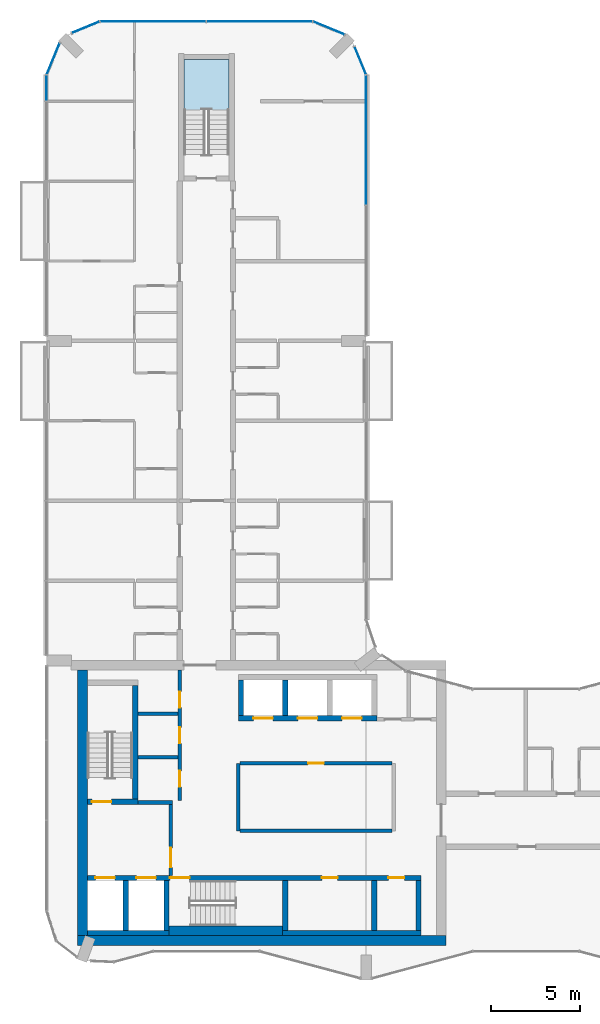
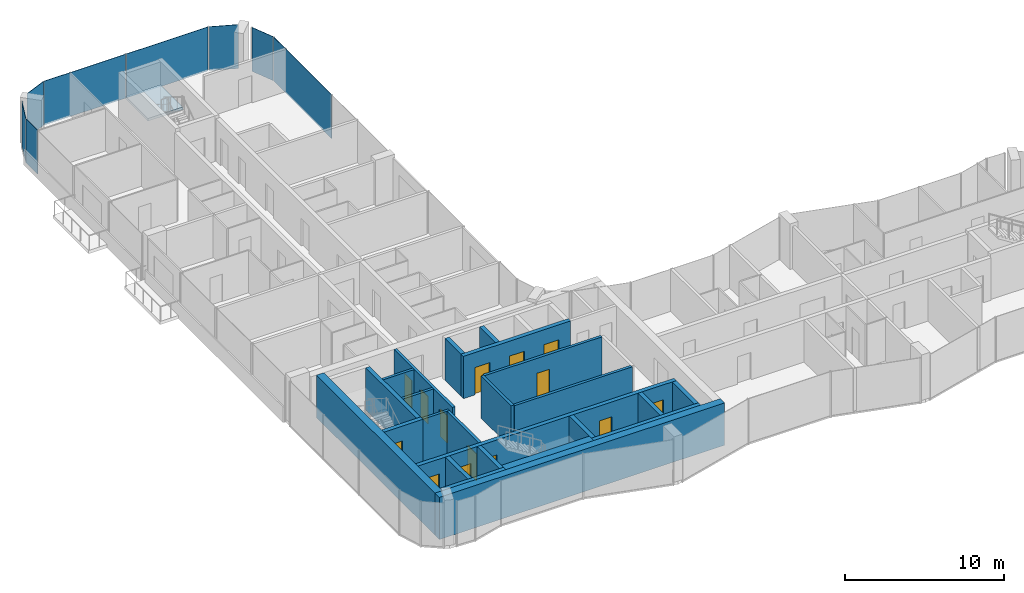
# One storey, part 9 of 15: 24 walls, 14 doors, 8 plates, 1 slab, 14 openings, 8 elements without a shape of their own.
"""IFC4 building model written with IfcOpenShell, lengths in metres."""

from ifc_helpers import new_model, si_unit, direction, frame, frame_2d, origin, origin_2d, place, context, subcontext, project, spatial, polyline, rectangle, outline, extrude, material, layer, layer_set, type_object, element, fill, aggregate, save


model = new_model("IFC4")

# Units and contexts
model_context = context("Model", 3, precision=1e-05, world=origin(), true_north=direction((0.0, 1.0)))
body_context = subcontext(model_context, "Body", "Model", "MODEL_VIEW")
ifc_project = project(units=[si_unit("LENGTHUNIT", "METRE"), si_unit("AREAUNIT", "SQUARE_METRE"), si_unit("VOLUMEUNIT", "CUBIC_METRE"), si_unit("PLANEANGLEUNIT", "RADIAN"), si_unit("MASSUNIT", "GRAM", prefix="KILO")], contexts=[model_context])

# Site, building, storey
site_placement = place(None, origin())
site = spatial("IfcSite", under=ifc_project, at=site_placement, CompositionType="ELEMENT")
building_placement = place(site_placement, origin())
building = spatial("IfcBuilding", under=site, at=building_placement, Name="Plateau Cross Towers", CompositionType="ELEMENT")
storey_placement = place(building_placement, frame((0.0, 0.0, 177.89990234375)))
storey = spatial("IfcBuildingStorey", under=building, at=storey_placement, Name="L46", CompositionType="ELEMENT", Elevation=177.89990234375)

# Curtain wall, plate
ifc_material_1 = material(Name="Dark low-iron glass", Category="glass")
ifc_layer_1 = layer(ifc_material_1, 0.239990234375)
ifc_layer_set_1 = layer_set([ifc_layer_1], Name="Dark low-iron glass")
curtain_wall_type = type_object("IfcCurtainWallType", Name="Curtain wall flush unitised CW-B", PredefinedType="NOTDEFINED", material=ifc_layer_set_1)
curtain_wall_1_placement = place(storey_placement, origin())
curtain_wall_1 = element("IfcCurtainWall", 1, at=curtain_wall_1_placement, inside=storey, type_object=curtain_wall_type, Name="ENV/A/L46/A180_363", PredefinedType="NOTDEFINED")
ifc_layer_2 = layer(ifc_material_1, 0.031982421875)
ifc_layer_set_2 = layer_set([ifc_layer_2], Name="Dark low-iron glass")
plate_type = type_object("IfcPlateType", Name="Glass panel 32 flush unitised", PredefinedType="CURTAIN_PANEL", material=ifc_layer_set_2)
plate_1_placement = place(storey_placement, frame((18.0, 47.324951171875, -0.1298828125), z_axis=(0.0, 0.0, 1.0), x_axis=(0.0, 1.0, 0.0)))
plate_1 = element("IfcPlate", 2, at=plate_1_placement, type_object=plate_type, Name="CW-B panel 2", PredefinedType="CURTAIN_PANEL", context=body_context, shape_type="SweptSolid", body=[
    extrude(rectangle(XDim=7.2900390625, YDim=0.031982421875, at=origin_2d()), origin(), (0.0, 0.0, 1.0), 3.3798828125),
])
aggregate(curtain_wall_1, [plate_1])

curtain_wall_2_placement = place(storey_placement, origin())
curtain_wall_2 = element("IfcCurtainWall", 3, at=curtain_wall_2_placement, inside=storey, type_object=curtain_wall_type, Name="ENV/A/L46/A180_510", PredefinedType="NOTDEFINED")
plate_2_placement = place(storey_placement, frame((17.66943359375, 51.79833984375, -0.1298828125), z_axis=(0.0, 0.0, 1.0), x_axis=(-0.382683612978, 0.923879457699, 0.0)))
plate_2 = element("IfcPlate", 4, at=plate_2_placement, type_object=plate_type, Name="CW-B panel 1", PredefinedType="CURTAIN_PANEL", context=body_context, shape_type="SweptSolid", body=[
    extrude(rectangle(XDim=1.668212890625, YDim=0.031982421875, at=origin_2d()), origin(), (0.0, 0.0, 1.0), 3.3798828125),
])
aggregate(curtain_wall_2, [plate_2])

curtain_wall_3_placement = place(storey_placement, origin())
curtain_wall_3 = element("IfcCurtainWall", 5, at=curtain_wall_3_placement, inside=storey, type_object=curtain_wall_type, Name="ENV/A/L46/A168_533", PredefinedType="NOTDEFINED")
plate_3_placement = place(storey_placement, frame((15.90283203125, 53.6259765625, -0.1298828125), z_axis=(0.0, 0.0, 1.0), x_axis=(-0.923879457699, 0.382683612978, 0.0)))
plate_3 = element("IfcPlate", 6, at=plate_3_placement, type_object=plate_type, Name="CW-B panel 1", PredefinedType="CURTAIN_PANEL", context=body_context, shape_type="SweptSolid", body=[
    extrude(rectangle(XDim=1.894775390625, YDim=0.031982421875, at=origin_2d()), origin(), (0.0, 0.0, 1.0), 3.3798828125),
])
aggregate(curtain_wall_3, [plate_3])

# Curtain wall, plates
curtain_wall_4_placement = place(storey_placement, origin())
curtain_wall_4 = element("IfcCurtainWall", 7, at=curtain_wall_4_placement, inside=storey, type_object=curtain_wall_type, Name="ENV/A/L46/A150_540", PredefinedType="NOTDEFINED")
plate_4_placement = place(storey_placement, frame((12.0, 54.0, -0.1298828125), z_axis=(0.0, 0.0, 1.0), x_axis=(-1.0, 0.0, 0.0)))
plate_4 = element("IfcPlate", 8, at=plate_4_placement, type_object=plate_type, Name="CW-B panel 1", PredefinedType="CURTAIN_PANEL", context=body_context, shape_type="SweptSolid", body=[
    extrude(rectangle(XDim=5.93994140625, YDim=0.031982421875, at=origin_2d()), origin(), (0.0, 0.0, 1.0), 3.3798828125),
])
plate_5_placement = place(storey_placement, frame((6.0, 54.0, -0.1298828125), z_axis=(0.0, 0.0, 1.0), x_axis=(-1.0, 0.0, 0.0)))
plate_5 = element("IfcPlate", 9, at=plate_5_placement, type_object=plate_type, Name="CW-B panel 2", PredefinedType="CURTAIN_PANEL", context=body_context, shape_type="SweptSolid", body=[
    extrude(rectangle(XDim=5.93994140625, YDim=0.031982421875, at=origin_2d()), origin(), (0.0, 0.0, 1.0), 3.3798828125),
])
aggregate(curtain_wall_4, [plate_4, plate_5])

# Curtain wall, plate
curtain_wall_5_placement = place(storey_placement, origin())
curtain_wall_5 = element("IfcCurtainWall", 10, at=curtain_wall_5_placement, inside=storey, type_object=curtain_wall_type, Name="ENV/A/L46/A30_540", PredefinedType="NOTDEFINED")
plate_6_placement = place(storey_placement, frame((2.20166015625, 53.66943359375, -0.1298828125), z_axis=(0.0, 0.0, 1.0), x_axis=(-0.923879457699, -0.382683612978, 0.0)))
plate_6 = element("IfcPlate", 11, at=plate_6_placement, type_object=plate_type, Name="CW-B panel 1", PredefinedType="CURTAIN_PANEL", context=body_context, shape_type="SweptSolid", body=[
    extrude(rectangle(XDim=1.668212890625, YDim=0.031982421875, at=origin_2d()), origin(), (0.0, 0.0, 1.0), 3.3798828125),
])
aggregate(curtain_wall_5, [plate_6])

curtain_wall_6_placement = place(storey_placement, origin())
curtain_wall_6 = element("IfcCurtainWall", 12, at=curtain_wall_6_placement, inside=storey, type_object=curtain_wall_type, Name="ENV/A/L46/A7_528", PredefinedType="NOTDEFINED")
plate_7_placement = place(storey_placement, frame((0.3740234375, 51.90283203125, -0.1298828125), z_axis=(0.0, 0.0, 1.0), x_axis=(-0.382683612978, -0.923879457699, 0.0)))
plate_7 = element("IfcPlate", 13, at=plate_7_placement, type_object=plate_type, Name="CW-B panel 1", PredefinedType="CURTAIN_PANEL", context=body_context, shape_type="SweptSolid", body=[
    extrude(rectangle(XDim=1.894775390625, YDim=0.031982421875, at=origin_2d()), origin(), (0.0, 0.0, 1.0), 3.3798828125),
])
aggregate(curtain_wall_6, [plate_7])

curtain_wall_7_placement = place(storey_placement, origin())
curtain_wall_7 = element("IfcCurtainWall", 14, at=curtain_wall_7_placement, inside=storey, type_object=curtain_wall_type, Name="ENV/A/L46/A0_510", PredefinedType="NOTDEFINED")
plate_8_placement = place(storey_placement, frame((0.0, 50.25, -0.1298828125), z_axis=(0.0, 0.0, 1.0), x_axis=(0.0, -1.0, 0.0)))
plate_8 = element("IfcPlate", 15, at=plate_8_placement, type_object=plate_type, Name="CW-B panel 1", PredefinedType="CURTAIN_PANEL", context=body_context, shape_type="SweptSolid", body=[
    extrude(rectangle(XDim=1.43994140625, YDim=0.031982421875, at=origin_2d()), origin(), (0.0, 0.0, 1.0), 3.3798828125),
])
aggregate(curtain_wall_7, [plate_8])

# Stair, slab
ifc_material_2 = material(Name="Concrete C40/50", Category="concrete")
stair_type = type_object("IfcStairType", Name="ST-TWR", PredefinedType="HALF_TURN_STAIR", material=ifc_material_2)
stair_placement = place(storey_placement, origin())
stair = element("IfcStair", 16, at=stair_placement, inside=storey, type_object=stair_type, Name="L46 Protected Exit Stair N", PredefinedType="HALF_TURN_STAIR")
ifc_layer_3 = layer(ifc_material_2, 0.199951171875)
ifc_layer_set_3 = layer_set([ifc_layer_3], Name="Concrete C40/50")
slab_type = type_object("IfcSlabType", Name="SL-LANDING", PredefinedType="LANDING", material=ifc_layer_set_3)
slab_placement = place(storey_placement, frame((0.0, 0.0, 1.550048828125)))
slab = element("IfcSlab", 17, at=slab_placement, type_object=slab_type, Name="ES-N landing 1", PredefinedType="LANDING", context=body_context, shape_type="SweptSolid", body=[
    extrude(outline(polyline([(10.27490234375, 49.02001953125), (10.27490234375, 51.85009765625), (7.72509765625, 51.85009765625), (7.72509765625, 49.02001953125), (10.27490234375, 49.02001953125)])), origin(), (0.0, 0.0, 1.0), 0.199951171875),
])
aggregate(stair, [slab])

# Wall, opening, door
ifc_material_3 = material(Name="Concrete block, plastered both sides", Category="concrete")
ifc_layer_4 = layer(ifc_material_3, 0.199951171875)
ifc_layer_set_4 = layer_set([ifc_layer_4], Name="Concrete block, plastered both sides")
wall_type_1 = type_object("IfcWallType", Name="Core partition 200", PredefinedType="PARTITIONING", material=ifc_layer_set_4)
wall_1_placement = place(storey_placement, frame((7.0, 5.89990234375, 0.0), z_axis=(0.0, 0.0, 1.0), x_axis=(0.0, 1.0, 0.0)))
wall_1 = element("IfcWall", 18, at=wall_1_placement, inside=storey, type_object=wall_type_1, Name="Core partition", PredefinedType="PARTITIONING", context=body_context, shape_type="SweptSolid", body=[
    extrude(rectangle(XDim=4.0, YDim=0.199951171875, at=frame_2d((2.0, 0.0))), origin(), (0.0, 0.0, 1.0), 3.25),
])
opening_1_placement = place(wall_1_placement, frame((0.449951171875, 0.0, 0.0)))
opening_1 = element("IfcOpeningElement", 19, at=opening_1_placement, cuts=wall_1, Name="Opening FFD", PredefinedType="OPENING", context=body_context, shape_type="SweptSolid", body=[
    extrude(rectangle(XDim=1.10009765625, YDim=2.10009765625, at=frame_2d((0.550048828125, 1.050048828125))), frame((0.0, 0.10986328125, 0.0), z_axis=(0.0, -1.0, 0.0), x_axis=(1.0, 0.0, 0.0)), (0.0, 0.0, 1.0), 0.219970703125),
])
ifc_material_4 = material(Name="Steel, fire-resisting leaf", Category="steel")
door_type_1 = type_object("IfcDoorType", Name="Firefighting lobby door 1100", OperationType="NOTDEFINED", PredefinedType="DOOR", material=ifc_material_4)
door_1_placement = place(opening_1_placement, origin())
door_1 = element("IfcDoor", 20, at=door_1_placement, inside=storey, type_object=door_type_1, Name="Firefighting lobby door FFD", OperationType="SINGLE_SWING_LEFT", OverallHeight=2.10009765625, OverallWidth=1.10009765625, PredefinedType="DOOR", context=body_context, shape_type="SweptSolid", body=[
    extrude(rectangle(XDim=1.10009765625, YDim=2.10009765625, at=frame_2d((0.550048828125, 1.050048828125))), frame((0.0, 0.02490234375, 0.0), z_axis=(0.0, -1.0, 0.0), x_axis=(1.0, 0.0, 0.0)), (0.0, 0.0, 1.0), 0.050048828125),
])
fill(opening_1, door_1)

# Walls
wall_2_placement = place(storey_placement, frame((5.14990234375, 10.0, 0.0), z_axis=(0.0, 0.0, 1.0), x_axis=(1.0, 0.0, 0.0)))
element("IfcWall", 21, at=wall_2_placement, inside=storey, type_object=wall_type_1, Name="Core partition", PredefinedType="PARTITIONING", context=body_context, shape_type="SweptSolid", body=[
    extrude(rectangle(XDim=1.9501953125, YDim=0.199951171875, at=frame_2d((0.97509765625, 0.0))), origin(), (0.0, 0.0, 1.0), 3.25),
])
wall_3_placement = place(storey_placement, frame((10.800048828125, 8.39990234375, 0.0), z_axis=(0.0, 0.0, 1.0), x_axis=(0.0, 1.0, 0.0)))
element("IfcWall", 22, at=wall_3_placement, inside=storey, type_object=wall_type_1, Name="Core partition", PredefinedType="PARTITIONING", context=body_context, shape_type="SweptSolid", body=[
    extrude(rectangle(XDim=3.800048828125, YDim=0.199951171875, at=frame_2d((1.89990234375, 0.0))), origin(), (0.0, 0.0, 1.0), 3.25),
])
wall_4_placement = place(storey_placement, frame((10.89990234375, 8.39990234375, 0.0), z_axis=(0.0, 0.0, 1.0), x_axis=(1.0, 0.0, 0.0)))
element("IfcWall", 23, at=wall_4_placement, inside=storey, type_object=wall_type_1, Name="Core partition", PredefinedType="PARTITIONING", context=body_context, shape_type="SweptSolid", body=[
    extrude(rectangle(XDim=8.550048828125, YDim=0.199951171875, at=frame_2d((4.27490234375, 0.0))), origin(), (0.0, 0.0, 1.0), 3.25),
])

# Wall, opening, door
wall_5_placement = place(storey_placement, frame((10.89990234375, 12.199951171875, 0.0), z_axis=(0.0, 0.0, 1.0), x_axis=(1.0, 0.0, 0.0)))
wall_5 = element("IfcWall", 24, at=wall_5_placement, inside=storey, type_object=wall_type_1, Name="Core partition", PredefinedType="PARTITIONING", context=body_context, shape_type="SweptSolid", body=[
    extrude(rectangle(XDim=8.550048828125, YDim=0.199951171875, at=frame_2d((4.27490234375, 0.0))), origin(), (0.0, 0.0, 1.0), 3.25),
])
opening_2_placement = place(wall_5_placement, frame((3.824951171875, 0.0, 0.0)))
opening_2 = element("IfcOpeningElement", 25, at=opening_2_placement, cuts=wall_5, Name="Opening RD1", PredefinedType="OPENING", context=body_context, shape_type="SweptSolid", body=[
    extrude(rectangle(XDim=0.89990234375, YDim=2.10009765625, at=frame_2d((0.449951171875, 1.050048828125))), frame((0.0, 0.10986328125, 0.0), z_axis=(0.0, -1.0, 0.0), x_axis=(1.0, 0.0, 0.0)), (0.0, 0.0, 1.0), 0.219970703125),
])
ifc_material_5 = material(Name="Timber, fire-resisting leaf", Category="wood")
door_type_2 = type_object("IfcDoorType", Name="Core service door 900", OperationType="NOTDEFINED", PredefinedType="DOOR", material=ifc_material_5)
door_2_placement = place(opening_2_placement, origin())
door_2 = element("IfcDoor", 26, at=door_2_placement, inside=storey, type_object=door_type_2, Name="Core service door RD1", OperationType="SINGLE_SWING_LEFT", OverallHeight=2.10009765625, OverallWidth=0.89990234375, PredefinedType="DOOR", context=body_context, shape_type="SweptSolid", body=[
    extrude(rectangle(XDim=0.89990234375, YDim=2.10009765625, at=frame_2d((0.449951171875, 1.050048828125))), frame((0.0, 0.02490234375, 0.0), z_axis=(0.0, -1.0, 0.0), x_axis=(1.0, 0.0, 0.0)), (0.0, 0.0, 1.0), 0.050048828125),
])
fill(opening_2, door_2)

# Wall, openings, doors
wall_6_placement = place(storey_placement, frame((7.5, 10.10009765625, 0.0), z_axis=(0.0, 0.0, 1.0), x_axis=(0.0, 1.0, 0.0)))
wall_6 = element("IfcWall", 27, at=wall_6_placement, inside=storey, type_object=wall_type_1, Name="Core partition", PredefinedType="PARTITIONING", context=body_context, shape_type="SweptSolid", body=[
    extrude(rectangle(XDim=7.349853515625, YDim=0.199951171875, at=frame_2d((3.6748046875, 0.0))), origin(), (0.0, 0.0, 1.0), 3.25),
])
opening_3_placement = place(wall_6_placement, frame((0.77490234375, 0.0, 0.0)))
opening_3 = element("IfcOpeningElement", 28, at=opening_3_placement, cuts=wall_6, Name="Opening RD1", PredefinedType="OPENING", context=body_context, shape_type="SweptSolid", body=[
    extrude(rectangle(XDim=0.89990234375, YDim=2.10009765625, at=frame_2d((0.449951171875, 1.050048828125))), frame((0.0, 0.10986328125, 0.0), z_axis=(0.0, -1.0, 0.0), x_axis=(1.0, 0.0, 0.0)), (0.0, 0.0, 1.0), 0.219970703125),
])
opening_4_placement = place(wall_6_placement, frame((3.22509765625, 0.0, 0.0)))
opening_4 = element("IfcOpeningElement", 29, at=opening_4_placement, cuts=wall_6, Name="Opening RD1", PredefinedType="OPENING", context=body_context, shape_type="SweptSolid", body=[
    extrude(rectangle(XDim=0.89990234375, YDim=2.10009765625, at=frame_2d((0.449951171875, 1.050048828125))), frame((0.0, 0.10986328125, 0.0), z_axis=(0.0, -1.0, 0.0), x_axis=(1.0, 0.0, 0.0)), (0.0, 0.0, 1.0), 0.219970703125),
])
opening_5_placement = place(wall_6_placement, frame((5.25, 0.0, 0.0)))
opening_5 = element("IfcOpeningElement", 30, at=opening_5_placement, cuts=wall_6, Name="Opening RD1", PredefinedType="OPENING", context=body_context, shape_type="SweptSolid", body=[
    extrude(rectangle(XDim=0.89990234375, YDim=2.10009765625, at=frame_2d((0.449951171875, 1.050048828125))), frame((0.0, 0.10986328125, 0.0), z_axis=(0.0, -1.0, 0.0), x_axis=(1.0, 0.0, 0.0)), (0.0, 0.0, 1.0), 0.219970703125),
])
door_3_placement = place(opening_3_placement, origin())
door_3 = element("IfcDoor", 31, at=door_3_placement, inside=storey, type_object=door_type_2, Name="Core service door RD1", OperationType="SINGLE_SWING_RIGHT", OverallHeight=2.10009765625, OverallWidth=0.89990234375, PredefinedType="DOOR", context=body_context, shape_type="SweptSolid", body=[
    extrude(rectangle(XDim=0.89990234375, YDim=2.10009765625, at=frame_2d((0.449951171875, 1.050048828125))), frame((0.0, 0.02490234375, 0.0), z_axis=(0.0, -1.0, 0.0), x_axis=(1.0, 0.0, 0.0)), (0.0, 0.0, 1.0), 0.050048828125),
])
fill(opening_3, door_3)
door_4_placement = place(opening_4_placement, origin())
door_4 = element("IfcDoor", 32, at=door_4_placement, inside=storey, type_object=door_type_2, Name="Core service door RD1", OperationType="SINGLE_SWING_RIGHT", OverallHeight=2.10009765625, OverallWidth=0.89990234375, PredefinedType="DOOR", context=body_context, shape_type="SweptSolid", body=[
    extrude(rectangle(XDim=0.89990234375, YDim=2.10009765625, at=frame_2d((0.449951171875, 1.050048828125))), frame((0.0, 0.02490234375, 0.0), z_axis=(0.0, -1.0, 0.0), x_axis=(1.0, 0.0, 0.0)), (0.0, 0.0, 1.0), 0.050048828125),
])
fill(opening_4, door_4)
door_5_placement = place(opening_5_placement, origin())
door_5 = element("IfcDoor", 33, at=door_5_placement, inside=storey, type_object=door_type_2, Name="Core service door RD1", OperationType="SINGLE_SWING_RIGHT", OverallHeight=2.10009765625, OverallWidth=0.89990234375, PredefinedType="DOOR", context=body_context, shape_type="SweptSolid", body=[
    extrude(rectangle(XDim=0.89990234375, YDim=2.10009765625, at=frame_2d((0.449951171875, 1.050048828125))), frame((0.0, 0.02490234375, 0.0), z_axis=(0.0, -1.0, 0.0), x_axis=(1.0, 0.0, 0.0)), (0.0, 0.0, 1.0), 0.050048828125),
])
fill(opening_5, door_5)

# Walls
for number, where, z_axis, x_axis, name in (
    (34, (5.14990234375, 12.550048828125, 0.0), (0.0, 0.0, 1.0), (1.0, 0.0, 0.0), "Core partition"),
    (35, (5.14990234375, 15.0, 0.0), (0.0, 0.0, 1.0), (1.0, 0.0, 0.0), "Core partition"),
):
    element("IfcWall", number, at=place(storey_placement, frame(where, z_axis=z_axis, x_axis=x_axis)), inside=storey, type_object=wall_type_1, Name=name, PredefinedType="PARTITIONING", context=body_context, shape_type="SweptSolid", body=[
        extrude(rectangle(XDim=2.25, YDim=0.199951171875, at=frame_2d((1.125, 0.0))), origin(), (0.0, 0.0, 1.0), 3.25),
    ])
ifc_material_6 = material(Name="Concrete C60/75", Category="concrete")
ifc_layer_5 = layer(ifc_material_6, 0.300048828125)
ifc_layer_set_5 = layer_set([ifc_layer_5], Name="Concrete C60/75")
wall_type_2 = type_object("IfcWallType", Name="Core shaft wall 300", PredefinedType="SHEAR", material=ifc_layer_set_5)
wall_7_placement = place(storey_placement, frame((2.300048828125, 2.64990234375, 0.0), z_axis=(0.0, 0.0, 1.0), x_axis=(1.0, 0.0, 0.0)))
element("IfcWall", 36, at=wall_7_placement, inside=storey, type_object=wall_type_2, Name="A-sb-back1@L46", PredefinedType="SHEAR", context=body_context, shape_type="SweptSolid", body=[
    extrude(rectangle(XDim=4.599853515625, YDim=0.300048828125, at=frame_2d((2.2998046875, 0.0))), origin(), (0.0, 0.0, 1.0), 3.25),
])
wall_8_placement = place(storey_placement, frame((13.300048828125, 2.64990234375, 0.0), z_axis=(0.0, 0.0, 1.0), x_axis=(1.0, 0.0, 0.0)))
element("IfcWall", 37, at=wall_8_placement, inside=storey, type_object=wall_type_2, Name="A-sb-back3@L46", PredefinedType="SHEAR", context=body_context, shape_type="SweptSolid", body=[
    extrude(rectangle(XDim=7.800048828125, YDim=0.300048828125, at=frame_2d((3.89990234375, 0.0))), origin(), (0.0, 0.0, 1.0), 3.25),
])
for number, where, z_axis, x_axis, name in (
    (38, (4.449951171875, 2.800048828125, 0.0), (0.0, 0.0, 1.0), (0.0, 1.0, 0.0), "A-sb-v1@L46"),
    (39, (6.75, 2.800048828125, 0.0), (0.0, 0.0, 1.0), (0.0, 1.0, 0.0), "A-sb-v2@L46"),
    (40, (13.449951171875, 2.800048828125, 0.0), (0.0, 0.0, 1.0), (0.0, 1.0, 0.0), "A-sb-v3@L46"),
    (41, (18.449951171875, 2.800048828125, 0.0), (0.0, 0.0, 1.0), (0.0, 1.0, 0.0), "A-sb-v5@L46"),
    (42, (20.949951171875, 2.800048828125, 0.0), (0.0, 0.0, 1.0), (0.0, 1.0, 0.0), "A-sb-v6@L46"),
):
    element("IfcWall", number, at=place(storey_placement, frame(where, z_axis=z_axis, x_axis=x_axis)), inside=storey, type_object=wall_type_2, Name=name, PredefinedType="SHEAR", context=body_context, shape_type="SweptSolid", body=[
        extrude(rectangle(XDim=2.800048828125, YDim=0.300048828125, at=frame_2d((1.39990234375, 0.0))), origin(), (0.0, 0.0, 1.0), 3.25),
    ])

# Wall, openings, doors
wall_9_placement = place(storey_placement, frame((2.300048828125, 5.75, 0.0), z_axis=(0.0, 0.0, 1.0), x_axis=(1.0, 0.0, 0.0)))
wall_9 = element("IfcWall", 43, at=wall_9_placement, inside=storey, type_object=wall_type_2, Name="A-sb-front@L46", PredefinedType="SHEAR", context=body_context, shape_type="SweptSolid", body=[
    extrude(rectangle(XDim=18.800048828125, YDim=0.300048828125, at=frame_2d((9.39990234375, 0.0))), origin(), (0.0, 0.0, 1.0), 3.25),
])
opening_6_placement = place(wall_9_placement, frame((4.64990234375, 0.0, 0.0)))
opening_6 = element("IfcOpeningElement", 44, at=opening_6_placement, cuts=wall_9, Name="Opening SD", PredefinedType="OPENING", context=body_context, shape_type="SweptSolid", body=[
    extrude(rectangle(XDim=1.10009765625, YDim=2.10009765625, at=frame_2d((0.550048828125, 1.050048828125))), frame((0.0, 0.159912109375, 0.0), z_axis=(0.0, -1.0, 0.0), x_axis=(1.0, 0.0, 0.0)), (0.0, 0.0, 1.0), 0.320068359375),
])
opening_7_placement = place(wall_9_placement, frame((0.449951171875, 0.0, 0.0)))
opening_7 = element("IfcOpeningElement", 45, at=opening_7_placement, cuts=wall_9, Name="Opening LD", PredefinedType="OPENING", context=body_context, shape_type="SweptSolid", body=[
    extrude(rectangle(XDim=1.10009765625, YDim=2.10009765625, at=frame_2d((0.550048828125, 1.050048828125))), frame((0.0, 0.159912109375, 0.0), z_axis=(0.0, -1.0, 0.0), x_axis=(1.0, 0.0, 0.0)), (0.0, 0.0, 1.0), 0.320068359375),
])
opening_8_placement = place(wall_9_placement, frame((2.75, 0.0, 0.0)))
opening_8 = element("IfcOpeningElement", 46, at=opening_8_placement, cuts=wall_9, Name="Opening LD", PredefinedType="OPENING", context=body_context, shape_type="SweptSolid", body=[
    extrude(rectangle(XDim=1.10009765625, YDim=2.10009765625, at=frame_2d((0.550048828125, 1.050048828125))), frame((0.0, 0.159912109375, 0.0), z_axis=(0.0, -1.0, 0.0), x_axis=(1.0, 0.0, 0.0)), (0.0, 0.0, 1.0), 0.320068359375),
])
opening_9_placement = place(wall_9_placement, frame((13.199951171875, 0.0, 0.0)))
opening_9 = element("IfcOpeningElement", 47, at=opening_9_placement, cuts=wall_9, Name="Opening RD2", PredefinedType="OPENING", context=body_context, shape_type="SweptSolid", body=[
    extrude(rectangle(XDim=0.89990234375, YDim=2.10009765625, at=frame_2d((0.449951171875, 1.050048828125))), frame((0.0, 0.159912109375, 0.0), z_axis=(0.0, -1.0, 0.0), x_axis=(1.0, 0.0, 0.0)), (0.0, 0.0, 1.0), 0.320068359375),
])
opening_10_placement = place(wall_9_placement, frame((16.949951171875, 0.0, 0.0)))
opening_10 = element("IfcOpeningElement", 48, at=opening_10_placement, cuts=wall_9, Name="Opening RD2", PredefinedType="OPENING", context=body_context, shape_type="SweptSolid", body=[
    extrude(rectangle(XDim=0.89990234375, YDim=2.10009765625, at=frame_2d((0.449951171875, 1.050048828125))), frame((0.0, 0.159912109375, 0.0), z_axis=(0.0, -1.0, 0.0), x_axis=(1.0, 0.0, 0.0)), (0.0, 0.0, 1.0), 0.320068359375),
])
door_type_3 = type_object("IfcDoorType", Name="Core riser door 900", OperationType="NOTDEFINED", PredefinedType="DOOR", material=ifc_material_4)
door_6_placement = place(opening_9_placement, origin())
door_6 = element("IfcDoor", 49, at=door_6_placement, inside=storey, type_object=door_type_3, Name="Core riser door RD2", OperationType="SINGLE_SWING_LEFT", OverallHeight=2.10009765625, OverallWidth=0.89990234375, PredefinedType="DOOR", context=body_context, shape_type="SweptSolid", body=[
    extrude(rectangle(XDim=0.89990234375, YDim=2.10009765625, at=frame_2d((0.449951171875, 1.050048828125))), frame((0.0, 0.02490234375, 0.0), z_axis=(0.0, -1.0, 0.0), x_axis=(1.0, 0.0, 0.0)), (0.0, 0.0, 1.0), 0.050048828125),
])
fill(opening_9, door_6)
door_7_placement = place(opening_10_placement, origin())
door_7 = element("IfcDoor", 50, at=door_7_placement, inside=storey, type_object=door_type_3, Name="Core riser door RD2", OperationType="SINGLE_SWING_LEFT", OverallHeight=2.10009765625, OverallWidth=0.89990234375, PredefinedType="DOOR", context=body_context, shape_type="SweptSolid", body=[
    extrude(rectangle(XDim=0.89990234375, YDim=2.10009765625, at=frame_2d((0.449951171875, 1.050048828125))), frame((0.0, 0.02490234375, 0.0), z_axis=(0.0, -1.0, 0.0), x_axis=(1.0, 0.0, 0.0)), (0.0, 0.0, 1.0), 0.050048828125),
])
fill(opening_10, door_7)
ifc_material_7 = material(Name="Stainless steel, fire-resisting sliding leaves", Category="steel")
door_type_4 = type_object("IfcDoorType", Name="Lift landing door 1100", OperationType="NOTDEFINED", PredefinedType="DOOR", material=ifc_material_7)
door_8_placement = place(opening_7_placement, origin())
door_8 = element("IfcDoor", 51, at=door_8_placement, inside=storey, type_object=door_type_4, Name="Lift landing door LD", OperationType="DOUBLE_DOOR_SLIDING", OverallHeight=2.10009765625, OverallWidth=1.10009765625, PredefinedType="DOOR", context=body_context, shape_type="SweptSolid", body=[
    extrude(rectangle(XDim=1.10009765625, YDim=2.10009765625, at=frame_2d((0.550048828125, 1.050048828125))), frame((0.0, 0.02490234375, 0.0), z_axis=(0.0, -1.0, 0.0), x_axis=(1.0, 0.0, 0.0)), (0.0, 0.0, 1.0), 0.050048828125),
])
fill(opening_7, door_8)
door_9_placement = place(opening_8_placement, origin())
door_9 = element("IfcDoor", 52, at=door_9_placement, inside=storey, type_object=door_type_4, Name="Lift landing door LD", OperationType="DOUBLE_DOOR_SLIDING", OverallHeight=2.10009765625, OverallWidth=1.10009765625, PredefinedType="DOOR", context=body_context, shape_type="SweptSolid", body=[
    extrude(rectangle(XDim=1.10009765625, YDim=2.10009765625, at=frame_2d((0.550048828125, 1.050048828125))), frame((0.0, 0.02490234375, 0.0), z_axis=(0.0, -1.0, 0.0), x_axis=(1.0, 0.0, 0.0)), (0.0, 0.0, 1.0), 0.050048828125),
])
fill(opening_8, door_9)
door_type_5 = type_object("IfcDoorType", Name="Stair door 1100", OperationType="NOTDEFINED", PredefinedType="DOOR", material=ifc_material_4)
door_10_placement = place(opening_6_placement, origin())
door_10 = element("IfcDoor", 53, at=door_10_placement, inside=storey, type_object=door_type_5, Name="Stair door SD", OperationType="SINGLE_SWING_LEFT", OverallHeight=2.10009765625, OverallWidth=1.10009765625, PredefinedType="DOOR", context=body_context, shape_type="SweptSolid", body=[
    extrude(rectangle(XDim=1.10009765625, YDim=2.10009765625, at=frame_2d((0.550048828125, 1.050048828125))), frame((0.0, 0.02490234375, 0.0), z_axis=(0.0, -1.0, 0.0), x_axis=(1.0, 0.0, 0.0)), (0.0, 0.0, 1.0), 0.050048828125),
])
fill(opening_6, door_10)

# Wall, opening, door
wall_10_placement = place(storey_placement, frame((2.300048828125, 10.050048828125, 0.0), z_axis=(0.0, 0.0, 1.0), x_axis=(1.0, 0.0, 0.0)))
wall_10 = element("IfcWall", 54, at=wall_10_placement, inside=storey, type_object=wall_type_2, Name="A-st1-S@L46", PredefinedType="SHEAR", context=body_context, shape_type="SweptSolid", body=[
    extrude(rectangle(XDim=2.849853515625, YDim=0.300048828125, at=frame_2d((1.4248046875, 0.0))), origin(), (0.0, 0.0, 1.0), 3.25),
])
opening_11_placement = place(wall_10_placement, frame((0.25, 0.0, 0.0)))
opening_11 = element("IfcOpeningElement", 55, at=opening_11_placement, cuts=wall_10, Name="Opening SD", PredefinedType="OPENING", context=body_context, shape_type="SweptSolid", body=[
    extrude(rectangle(XDim=1.10009765625, YDim=2.10009765625, at=frame_2d((0.550048828125, 1.050048828125))), frame((0.0, 0.159912109375, 0.0), z_axis=(0.0, -1.0, 0.0), x_axis=(1.0, 0.0, 0.0)), (0.0, 0.0, 1.0), 0.320068359375),
])
door_11_placement = place(opening_11_placement, origin())
door_11 = element("IfcDoor", 56, at=door_11_placement, inside=storey, type_object=door_type_5, Name="Stair door SD", OperationType="SINGLE_SWING_RIGHT", OverallHeight=2.10009765625, OverallWidth=1.10009765625, PredefinedType="DOOR", context=body_context, shape_type="SweptSolid", body=[
    extrude(rectangle(XDim=1.10009765625, YDim=2.10009765625, at=frame_2d((0.550048828125, 1.050048828125))), frame((0.0, 0.02490234375, 0.0), z_axis=(0.0, -1.0, 0.0), x_axis=(1.0, 0.0, 0.0)), (0.0, 0.0, 1.0), 0.050048828125),
])
fill(opening_11, door_11)

# Wall
wall_11_placement = place(storey_placement, frame((5.0, 10.199951171875, 0.0), z_axis=(0.0, 0.0, 1.0), x_axis=(0.0, 1.0, 0.0)))
element("IfcWall", 57, at=wall_11_placement, inside=storey, type_object=wall_type_2, Name="A-st1-E@L46", PredefinedType="SHEAR", context=body_context, shape_type="SweptSolid", body=[
    extrude(rectangle(XDim=6.400146484375, YDim=0.300048828125, at=frame_2d((3.2001953125, 0.0))), origin(), (0.0, 0.0, 1.0), 3.25),
])

# Wall, openings, doors
wall_12_placement = place(storey_placement, frame((10.800048828125, 14.75, 0.0), z_axis=(0.0, 0.0, 1.0), x_axis=(1.0, 0.0, 0.0)))
wall_12 = element("IfcWall", 58, at=wall_12_placement, inside=storey, type_object=wall_type_2, Name="A-nb-front@L46", PredefinedType="SHEAR", context=body_context, shape_type="SweptSolid", body=[
    extrude(rectangle(XDim=7.800048828125, YDim=0.300048828125, at=frame_2d((3.89990234375, 0.0))), origin(), (0.0, 0.0, 1.0), 3.25),
])
opening_12_placement = place(wall_12_placement, frame((0.85009765625, 0.0, 0.0)))
opening_12 = element("IfcOpeningElement", 59, at=opening_12_placement, cuts=wall_12, Name="Opening LD", PredefinedType="OPENING", context=body_context, shape_type="SweptSolid", body=[
    extrude(rectangle(XDim=1.10009765625, YDim=2.10009765625, at=frame_2d((0.550048828125, 1.050048828125))), frame((0.0, 0.159912109375, 0.0), z_axis=(0.0, -1.0, 0.0), x_axis=(1.0, 0.0, 0.0)), (0.0, 0.0, 1.0), 0.320068359375),
])
opening_13_placement = place(wall_12_placement, frame((3.35009765625, 0.0, 0.0)))
opening_13 = element("IfcOpeningElement", 60, at=opening_13_placement, cuts=wall_12, Name="Opening LD", PredefinedType="OPENING", context=body_context, shape_type="SweptSolid", body=[
    extrude(rectangle(XDim=1.10009765625, YDim=2.10009765625, at=frame_2d((0.550048828125, 1.050048828125))), frame((0.0, 0.159912109375, 0.0), z_axis=(0.0, -1.0, 0.0), x_axis=(1.0, 0.0, 0.0)), (0.0, 0.0, 1.0), 0.320068359375),
])
opening_14_placement = place(wall_12_placement, frame((5.85009765625, 0.0, 0.0)))
opening_14 = element("IfcOpeningElement", 61, at=opening_14_placement, cuts=wall_12, Name="Opening LD", PredefinedType="OPENING", context=body_context, shape_type="SweptSolid", body=[
    extrude(rectangle(XDim=1.10009765625, YDim=2.10009765625, at=frame_2d((0.550048828125, 1.050048828125))), frame((0.0, 0.159912109375, 0.0), z_axis=(0.0, -1.0, 0.0), x_axis=(1.0, 0.0, 0.0)), (0.0, 0.0, 1.0), 0.320068359375),
])
door_12_placement = place(opening_12_placement, origin())
door_12 = element("IfcDoor", 62, at=door_12_placement, inside=storey, type_object=door_type_4, Name="Lift landing door LD", OperationType="DOUBLE_DOOR_SLIDING", OverallHeight=2.10009765625, OverallWidth=1.10009765625, PredefinedType="DOOR", context=body_context, shape_type="SweptSolid", body=[
    extrude(rectangle(XDim=1.10009765625, YDim=2.10009765625, at=frame_2d((0.550048828125, 1.050048828125))), frame((0.0, 0.02490234375, 0.0), z_axis=(0.0, -1.0, 0.0), x_axis=(1.0, 0.0, 0.0)), (0.0, 0.0, 1.0), 0.050048828125),
])
fill(opening_12, door_12)
door_13_placement = place(opening_13_placement, origin())
door_13 = element("IfcDoor", 63, at=door_13_placement, inside=storey, type_object=door_type_4, Name="Lift landing door LD", OperationType="DOUBLE_DOOR_SLIDING", OverallHeight=2.10009765625, OverallWidth=1.10009765625, PredefinedType="DOOR", context=body_context, shape_type="SweptSolid", body=[
    extrude(rectangle(XDim=1.10009765625, YDim=2.10009765625, at=frame_2d((0.550048828125, 1.050048828125))), frame((0.0, 0.02490234375, 0.0), z_axis=(0.0, -1.0, 0.0), x_axis=(1.0, 0.0, 0.0)), (0.0, 0.0, 1.0), 0.050048828125),
])
fill(opening_13, door_13)
door_14_placement = place(opening_14_placement, origin())
door_14 = element("IfcDoor", 64, at=door_14_placement, inside=storey, type_object=door_type_4, Name="Lift landing door LD", OperationType="DOUBLE_DOOR_SLIDING", OverallHeight=2.10009765625, OverallWidth=1.10009765625, PredefinedType="DOOR", context=body_context, shape_type="SweptSolid", body=[
    extrude(rectangle(XDim=1.10009765625, YDim=2.10009765625, at=frame_2d((0.550048828125, 1.050048828125))), frame((0.0, 0.02490234375, 0.0), z_axis=(0.0, -1.0, 0.0), x_axis=(1.0, 0.0, 0.0)), (0.0, 0.0, 1.0), 0.050048828125),
])
fill(opening_14, door_14)

# Walls
for number, where, z_axis, x_axis, name in (
    (65, (10.949951171875, 14.89990234375, 0.0), (0.0, 0.0, 1.0), (0.0, 1.0, 0.0), "A-nb-v1@L46"),
    (66, (13.449951171875, 14.89990234375, 0.0), (0.0, 0.0, 1.0), (0.0, 1.0, 0.0), "A-nb-v2@L46"),
):
    element("IfcWall", number, at=place(storey_placement, frame(where, z_axis=z_axis, x_axis=x_axis)), inside=storey, type_object=wall_type_2, Name=name, PredefinedType="SHEAR", context=body_context, shape_type="SweptSolid", body=[
        extrude(rectangle(XDim=2.0, YDim=0.300048828125, at=frame_2d((1.0, 0.0))), origin(), (0.0, 0.0, 1.0), 3.25),
    ])
ifc_layer_6 = layer(ifc_material_6, 0.550048828125)
ifc_layer_set_6 = layer_set([ifc_layer_6], Name="Concrete C60/75")
wall_type_3 = type_object("IfcWallType", Name="Core shaft wall 550", PredefinedType="SHEAR", material=ifc_layer_set_6)
wall_13_placement = place(storey_placement, frame((6.89990234375, 2.77490234375, 0.0), z_axis=(0.0, 0.0, 1.0), x_axis=(1.0, 0.0, 0.0)))
element("IfcWall", 67, at=wall_13_placement, inside=storey, type_object=wall_type_3, Name="A-sb-back2@L46", PredefinedType="SHEAR", context=body_context, shape_type="SweptSolid", body=[
    extrude(rectangle(XDim=6.400146484375, YDim=0.550048828125, at=frame_2d((3.2001953125, 0.0))), origin(), (0.0, 0.0, 1.0), 3.25),
])
ifc_layer_7 = layer(ifc_material_6, 0.550048828125)
ifc_layer_set_7 = layer_set([ifc_layer_7], Name="Concrete C60/75")
wall_type_4 = type_object("IfcWallType", Name="Core shell wall 550", PredefinedType="SHEAR", material=ifc_layer_set_7)
wall_14_placement = place(storey_placement, frame((1.75, 2.22509765625, 0.0), z_axis=(0.0, 0.0, 1.0), x_axis=(1.0, 0.0, 0.0)))
element("IfcWall", 68, at=wall_14_placement, inside=storey, type_object=wall_type_4, Name="A-core-S@L46", PredefinedType="SHEAR", context=body_context, shape_type="SweptSolid", body=[
    extrude(rectangle(XDim=20.75, YDim=0.550048828125, at=frame_2d((10.375, 0.0))), origin(), (0.0, 0.0, 1.0), 3.25),
])
wall_15_placement = place(storey_placement, frame((2.02490234375, 2.5, 0.0), z_axis=(0.0, 0.0, 1.0), x_axis=(0.0, 1.0, 0.0)))
element("IfcWall", 69, at=wall_15_placement, inside=storey, type_object=wall_type_4, Name="A-core-W@L46", PredefinedType="SHEAR", context=body_context, shape_type="SweptSolid", body=[
    extrude(rectangle(XDim=14.949951171875, YDim=0.550048828125, at=frame_2d((7.47509765625, 0.0))), origin(), (0.0, 0.0, 1.0), 3.25),
])

save(model, "model.ifc")
